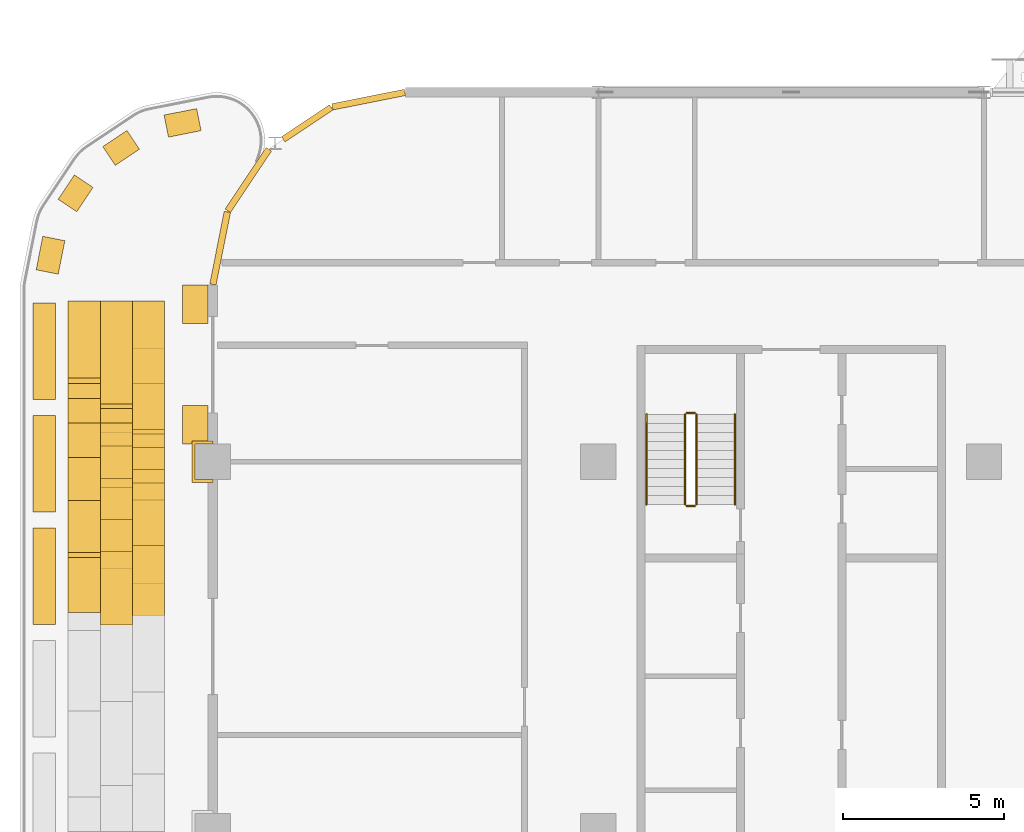
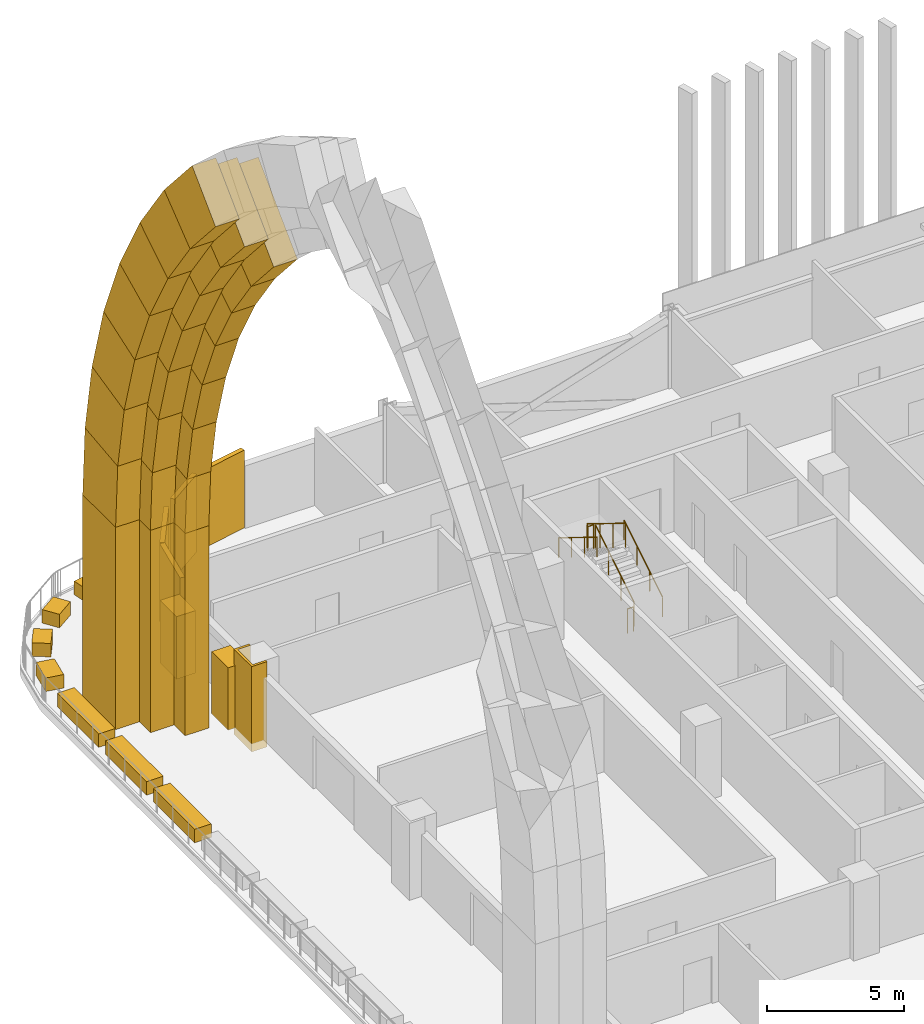
# One storey, part 24 of 28: 38 coverings, 6 railings.
"""IFC4 building model written with IfcOpenShell, lengths in metres."""

from ifc_helpers import new_model, si_unit, direction, frame, origin, origin_2d, place, context, subcontext, project, spatial, polyline, rectangle, circle, outline, extrude, material, layer, layer_set, type_object, element, save


model = new_model("IFC4")

# Units and contexts
model_context = context("Model", 3, precision=1e-05, world=origin(), true_north=direction((0.0, 1.0)))
body_context = subcontext(model_context, "Body", "Model", "MODEL_VIEW")
ifc_project = project(units=[si_unit("LENGTHUNIT", "METRE"), si_unit("AREAUNIT", "SQUARE_METRE"), si_unit("VOLUMEUNIT", "CUBIC_METRE"), si_unit("PLANEANGLEUNIT", "RADIAN"), si_unit("MASSUNIT", "GRAM", prefix="KILO")], contexts=[model_context])

# Site, building, storey
site_placement = place(None, origin())
site = spatial("IfcSite", under=ifc_project, at=site_placement, CompositionType="ELEMENT")
building_placement = place(site_placement, origin())
building = spatial("IfcBuilding", under=site, at=building_placement, Name="Mahtab Terrace Research Tower", CompositionType="ELEMENT")
storey_placement = place(building_placement, frame((0.0, 0.0, 193.89990234375)))
storey = spatial("IfcBuildingStorey", under=building, at=storey_placement, Name="L46", CompositionType="ELEMENT", Elevation=193.89990234375)

# Coverings
ifc_material_1 = material(Name="Black aluminium cladding panel", Category="aluminium")
ifc_layer_1 = layer(ifc_material_1, 0.199951171875)
ifc_layer_set_1 = layer_set([ifc_layer_1], Name="Black metal corner cladding 200")
covering_type_1 = type_object("IfcCoveringType", Name="Black metal corner cladding 200", PredefinedType="CLADDING", material=ifc_layer_set_1)
covering_1_placement = place(storey_placement, frame((-37.14794921875, 22.771484375, 0.0), z_axis=(0.0, 0.0, 1.0), x_axis=(-0.980760981187, -0.195212442692, 0.0)))
element("IfcCovering", 1, at=covering_1_placement, inside=storey, type_object=covering_type_1, Name="Corner cladding L46 11", PredefinedType="CLADDING", context=body_context, shape_type="SweptSolid", body=[
    extrude(rectangle(XDim=2.30126953125, YDim=0.199951171875, at=origin_2d()), origin(), (0.0, 0.0, 1.0), 3.4599609375),
])
covering_2_placement = place(storey_placement, frame((-39.059814453125, 22.032958984375, 0.0), z_axis=(0.0, 0.0, 1.0), x_axis=(-0.831655794326, -0.555291490808, 0.0)))
element("IfcCovering", 2, at=covering_2_placement, inside=storey, type_object=covering_type_1, Name="Corner cladding L46 12", PredefinedType="CLADDING", context=body_context, shape_type="SweptSolid", body=[
    extrude(rectangle(XDim=1.797119140625, YDim=0.199951171875, at=origin_2d()), origin(), (0.0, 0.0, 1.0), 3.4599609375),
])
for number, where, z_axis, x_axis, name in (
    (3, (-40.89306640625, 20.26953125, 0.0), (0.0, 0.0, 1.0), (-0.555291490808, -0.831655794326, 0.0), "Corner cladding L46 13"),
    (4, (-41.771484375, 18.14794921875, 0.0), (0.0, 0.0, 1.0), (-0.195212442692, -0.980760981187, 0.0), "Corner cladding L46 14"),
):
    element("IfcCovering", number, at=place(storey_placement, frame(where, z_axis=z_axis, x_axis=x_axis)), inside=storey, type_object=covering_type_1, Name=name, PredefinedType="CLADDING", context=body_context, shape_type="SweptSolid", body=[
        extrude(rectangle(XDim=2.30126953125, YDim=0.199951171875, at=origin_2d()), origin(), (0.0, 0.0, 1.0), 3.4599609375),
    ])
ifc_material_2 = material(Name="Dark anodised aluminium cladding", Category="aluminium")
ifc_layer_2 = layer(ifc_material_2, 0.10009765625)
ifc_layer_set_2 = layer_set([ifc_layer_2], Name="Column casing 100")
covering_type_2 = type_object("IfcCoveringType", Name="Column casing 100", PredefinedType="CLADDING", material=ifc_layer_set_2)
covering_3_placement = place(storey_placement, frame((0.0, 0.0, -0.33984375)))
element("IfcCovering", 5, at=covering_3_placement, inside=storey, type_object=covering_type_2, Name="Column casing RC-1C L46", PredefinedType="CLADDING", context=body_context, shape_type="SweptSolid", body=[
    extrude(outline(polyline([(-42.64990234375, 12.14990234375), (-42.0, 12.14990234375), (-42.0, 12.050048828125), (-42.550048828125, 12.050048828125), (-42.550048828125, 10.949951171875), (-42.0, 10.949951171875), (-42.0, 10.85009765625), (-42.64990234375, 10.85009765625), (-42.64990234375, 12.14990234375)])), origin(), (0.0, 0.0, 1.0), 3.800048828125),
])
ifc_material_3 = material(Name="Glazed ceramic tile cladding", Category="masonry")
ifc_layer_3 = layer(ifc_material_3, 1.0)
ifc_layer_set_3 = layer_set([ifc_layer_3], Name="Iwan portal cladding arch course 800")
covering_type_3 = type_object("IfcCoveringType", Name="Iwan portal cladding arch course 800", PredefinedType="CLADDING", material=ifc_layer_set_3)
covering_4_placement = place(storey_placement, frame((-43.5, 16.5, 9.030029296875), z_axis=(1.0, 0.0, 0.0), x_axis=(0.0, -0.055460822984, 0.998460864087)))
element("IfcCovering", 6, at=covering_4_placement, inside=storey, type_object=covering_type_3, Name="Iwan portal arch course 5.1.1W1", PredefinedType="CLADDING", context=body_context, shape_type="SweptSolid", body=[
    extrude(outline(polyline([(0.0, 0.0), (2.9405610794109034, 0.0), (2.718874432644916, 3.9942727306042114), (0.22184329193756697, 3.9938434563490723), (0.0, 0.0)])), origin(), (0.0, 0.0, -1.0), 1.0),
])
covering_5_placement = place(storey_placement, frame((-43.5, 16.3369140625, 11.966064453125), z_axis=(1.0, 0.0, 0.0), x_axis=(0.0, -0.165866171089, 0.986148271452)))
element("IfcCovering", 7, at=covering_5_placement, inside=storey, type_object=covering_type_3, Name="Iwan portal arch course 5.1.1W2", PredefinedType="CLADDING", context=body_context, shape_type="SweptSolid", body=[
    extrude(outline(polyline([(0.0, 0.0), (2.940882794535445, 0.0), (2.7190484283620227, 3.9932310158680346), (0.22271914837980816, 3.9942152917372566), (0.0, 0.0)])), origin(), (0.0, 0.0, -1.0), 1.0),
])
covering_6_placement = place(storey_placement, frame((-43.5, 15.84912109375, 14.8662109375), z_axis=(1.0, 0.0, 0.0), x_axis=(0.0, -0.273843681013, 0.96177421382)))
element("IfcCovering", 8, at=covering_6_placement, inside=storey, type_object=covering_type_3, Name="Iwan portal arch course 5.1.1W3", PredefinedType="CLADDING", context=body_context, shape_type="SweptSolid", body=[
    extrude(outline(polyline([(0.0, 0.0), (2.940275190102286, 0.0), (2.717577643766151, 3.9946903545653707), (0.22087525420823206, 3.9932841814957856), (0.0, 0.0)])), origin(), (0.0, 0.0, -1.0), 1.0),
])
covering_7_placement = place(storey_placement, frame((-43.5, 15.0439453125, 17.694091796875), z_axis=(1.0, 0.0, 0.0), x_axis=(0.0, -0.379062643921, 0.925371013153)))
element("IfcCovering", 9, at=covering_7_placement, inside=storey, type_object=covering_type_3, Name="Iwan portal arch course 5.1.1W4", PredefinedType="CLADDING", context=body_context, shape_type="SweptSolid", body=[
    extrude(outline(polyline([(0.0, 0.0), (2.941440556745329, -2.220446049250313e-16), (2.719930428130478, 3.9941025916612407), (0.22275519480547556, 3.994687140338892), (0.0, 0.0)])), origin(), (0.0, 0.0, -1.0), 1.0),
])
covering_8_placement = place(storey_placement, frame((-43.5, 13.928955078125, 20.416015625), z_axis=(1.0, 0.0, 0.0), x_axis=(0.0, -0.478881220228, 0.877879705263)))
element("IfcCovering", 10, at=covering_8_placement, inside=storey, type_object=covering_type_3, Name="Iwan portal arch course 5.1.1W5", PredefinedType="CLADDING", context=body_context, shape_type="SweptSolid", body=[
    extrude(outline(polyline([(0.0, 0.0), (2.9401006447990863, 0.0), (2.7177584811408897, 3.994143855210831), (0.22067789270468263, 3.9941486599105733), (0.0, 0.0)])), origin(), (0.0, 0.0, -1.0), 1.0),
])
covering_9_placement = place(storey_placement, frame((-43.5, 12.52099609375, 22.9970703125), z_axis=(1.0, 0.0, 0.0), x_axis=(0.0, -0.573412190327, 0.819267026057)))
element("IfcCovering", 11, at=covering_9_placement, inside=storey, type_object=covering_type_3, Name="Iwan portal arch course 5.1.1W6", PredefinedType="CLADDING", context=body_context, shape_type="SweptSolid", body=[
    extrude(outline(polyline([(0.0, 0.0), (2.9403545733650764, -2.220446049250313e-16), (2.7185814280906406, 3.9940420548651225), (0.22260416491903978, 3.9941292617564774), (0.0, 0.0)])), origin(), (0.0, 0.0, -1.0), 1.0),
])
covering_10_placement = place(storey_placement, frame((-43.5, 10.8349609375, 25.406005859375), z_axis=(1.0, 0.0, 0.0), x_axis=(0.0, -0.660594211147, 0.750743157277)))
element("IfcCovering", 12, at=covering_10_placement, inside=storey, type_object=covering_type_3, Name="Iwan portal arch course 5.1.1W7", PredefinedType="CLADDING", context=body_context, shape_type="SweptSolid", body=[
    extrude(outline(polyline([(0.0, 0.0), (2.94109615398585, 0.0), (2.7186280065322603, 3.9947243242258246), (0.22180179701225478, 3.9940404638458853), (0.0, 0.0)])), origin(), (0.0, 0.0, -1.0), 1.0),
])
covering_11_placement = place(storey_placement, frame((-44.5, 16.5, 9.030029296875), z_axis=(1.0, 0.0, 0.0), x_axis=(0.0, -0.055447571199, 0.998461600087)))
element("IfcCovering", 13, at=covering_11_placement, inside=storey, type_object=covering_type_3, Name="Iwan portal arch course 5.1.2W1", PredefinedType="CLADDING", context=body_context, shape_type="SweptSolid", body=[
    extrude(outline(polyline([(0.0, 0.0), (3.01171329760027, 0.0), (2.833598416824403, 3.194722438880751), (0.17742952043621738, 3.1950283672703064), (0.0, 0.0)])), origin(), (0.0, 0.0, -1.0), 1.0),
])
covering_12_placement = place(storey_placement, frame((-44.5, 16.3330078125, 12.037109375), z_axis=(1.0, 0.0, 0.0), x_axis=(0.0, -0.165700293067, 0.986176157123)))
element("IfcCovering", 14, at=covering_12_placement, inside=storey, type_object=covering_type_3, Name="Iwan portal arch course 5.1.2W2", PredefinedType="CLADDING", context=body_context, shape_type="SweptSolid", body=[
    extrude(outline(polyline([(0.0, 0.0), (3.01160262461619, 5.551115123125783e-17), (2.833599354589097, 3.195742954996072), (0.17684233025879248, 3.1947931329697417), (0.0, 0.0)])), origin(), (0.0, 0.0, -1.0), 1.0),
])
covering_13_placement = place(storey_placement, frame((-44.5, 15.833984375, 15.007080078125), z_axis=(1.0, 0.0, 0.0), x_axis=(0.0, -0.274260678529, 0.961655385371)))
element("IfcCovering", 15, at=covering_13_placement, inside=storey, type_object=covering_type_3, Name="Iwan portal arch course 5.1.2W3", PredefinedType="CLADDING", context=body_context, shape_type="SweptSolid", body=[
    extrude(outline(polyline([(0.0, 0.0), (3.011469740413322, 0.0), (2.835086770200549, 3.195058106788874), (0.17821894630770474, 3.1957309345006406), (0.0, 0.0)])), origin(), (0.0, 0.0, -1.0), 1.0),
])
covering_14_placement = place(storey_placement, frame((-44.5, 15.008056640625, 17.903076171875), z_axis=(1.0, 0.0, 0.0), x_axis=(0.0, -0.378897977416, 0.925438448904)))
element("IfcCovering", 16, at=covering_14_placement, inside=storey, type_object=covering_type_3, Name="Iwan portal arch course 5.1.2W4", PredefinedType="CLADDING", context=body_context, shape_type="SweptSolid", body=[
    extrude(outline(polyline([(0.0, 0.0), (3.011663691194293, 0.0), (2.8346940076805596, 3.1941286579051553), (0.1779372390486692, 3.194971924273846), (0.0, 0.0)])), origin(), (0.0, 0.0, -1.0), 1.0),
])
covering_15_placement = place(storey_placement, frame((-44.5, 13.866943359375, 20.690185546875), z_axis=(1.0, 0.0, 0.0), x_axis=(0.0, -0.47880668884, 0.877920357847)))
element("IfcCovering", 17, at=covering_15_placement, inside=storey, type_object=covering_type_3, Name="Iwan portal arch course 5.1.2W5", PredefinedType="CLADDING", context=body_context, shape_type="SweptSolid", body=[
    extrude(outline(polyline([(0.0, 0.0), (3.0114335594271013, 0.0), (2.8329261297389525, 3.19555325194529), (0.1769491638370455, 3.1941297947252103), (0.0, 0.0)])), origin(), (0.0, 0.0, -1.0), 1.0),
])
covering_16_placement = place(storey_placement, frame((-44.5, 12.425048828125, 23.333984375), z_axis=(1.0, 0.0, 0.0), x_axis=(0.0, -0.573489548763, 0.819212876767)))
element("IfcCovering", 18, at=covering_16_placement, inside=storey, type_object=covering_type_3, Name="Iwan portal arch course 5.1.2W6", PredefinedType="CLADDING", context=body_context, shape_type="SweptSolid", body=[
    extrude(outline(polyline([(0.0, 0.0), (3.0114773407402997, 0.0), (2.835016556162456, 3.194910347726194), (0.17805305107044544, 3.195578601673958), (0.0, 0.0)])), origin(), (0.0, 0.0, -1.0), 1.0),
])
covering_17_placement = place(storey_placement, frame((-44.5, 10.697998046875, 25.801025390625), z_axis=(1.0, 0.0, 0.0), x_axis=(0.0, -0.660688191476, 0.750660451632)))
element("IfcCovering", 19, at=covering_17_placement, inside=storey, type_object=covering_type_3, Name="Iwan portal arch course 5.1.2W7", PredefinedType="CLADDING", context=body_context, shape_type="SweptSolid", body=[
    extrude(outline(polyline([(0.0, 0.0), (3.0119960672079307, -2.220446049250313e-16), (2.8346253548064184, 3.1947767986943547), (0.17845576769532911, 3.1947995363524786), (0.0, 0.0)])), origin(), (0.0, 0.0, -1.0), 1.0),
])
covering_18_placement = place(storey_placement, frame((-45.5, 16.5, 9.030029296875), z_axis=(1.0, 0.0, 0.0), x_axis=(0.0, -0.055434931104, 0.998462301949)))
element("IfcCovering", 20, at=covering_18_placement, inside=storey, type_object=covering_type_3, Name="Iwan portal arch course 5.1.3W1", PredefinedType="CLADDING", context=body_context, shape_type="SweptSolid", body=[
    extrude(outline(polyline([(0.0, 0.0), (3.082865516295666, 0.0), (2.949374288960327, 2.3960943121690272), (0.13303842108308434, 2.39621201859361), (0.0, 0.0)])), origin(), (0.0, 0.0, -1.0), 1.0),
])
covering_19_placement = place(storey_placement, frame((-45.5, 16.3291015625, 12.108154296875), z_axis=(1.0, 0.0, 0.0), x_axis=(0.0, -0.165760169926, 0.986166094563)))
element("IfcCovering", 21, at=covering_19_placement, inside=storey, type_object=covering_type_3, Name="Iwan portal arch course 5.1.3W2", PredefinedType="CLADDING", context=body_context, shape_type="SweptSolid", body=[
    extrude(outline(polyline([(0.0, 0.0), (3.0826846301651667, 1.1102230246251565e-16), (2.949006002846727, 2.3963742600089364), (0.1329077287438854, 2.3961267487811244), (0.0, 0.0)])), origin(), (0.0, 0.0, -1.0), 1.0),
])
covering_20_placement = place(storey_placement, frame((-45.5, 15.818115234375, 15.148193359375), z_axis=(1.0, 0.0, 0.0), x_axis=(0.0, -0.274156290396, 0.961685150367)))
element("IfcCovering", 22, at=covering_20_placement, inside=storey, type_object=covering_type_3, Name="Iwan portal arch course 5.1.3W3", PredefinedType="CLADDING", context=body_context, shape_type="SweptSolid", body=[
    extrude(outline(polyline([(0.0, 0.0), (3.0829671736833983, 0.0), (2.949866593375721, 2.3961195887162603), (0.13303538763748002, 2.3964100557023347), (0.0, 0.0)])), origin(), (0.0, 0.0, -1.0), 1.0),
])
covering_21_placement = place(storey_placement, frame((-45.5, 14.972900390625, 18.113037109375), z_axis=(1.0, 0.0, 0.0), x_axis=(0.0, -0.378972119613, 0.92540808974)))
element("IfcCovering", 23, at=covering_21_placement, inside=storey, type_object=covering_type_3, Name="Iwan portal arch course 5.1.3W4", PredefinedType="CLADDING", context=body_context, shape_type="SweptSolid", body=[
    extrude(outline(polyline([(0.0, 0.0), (3.0819384581469658, 0.0), (2.949066917793149, 2.396074576576368), (0.13307739515838413, 2.3961208765014086), (0.0, 0.0)])), origin(), (0.0, 0.0, -1.0), 1.0),
])
covering_22_placement = place(storey_placement, frame((-45.5, 13.804931640625, 20.965087890625), z_axis=(1.0, 0.0, 0.0), x_axis=(0.0, -0.479107338441, 0.877756320542)))
element("IfcCovering", 24, at=covering_22_placement, inside=storey, type_object=covering_type_3, Name="Iwan portal arch course 5.1.3W5", PredefinedType="CLADDING", context=body_context, shape_type="SweptSolid", body=[
    extrude(outline(polyline([(0.0, 0.0), (3.0829224742331682, 0.0), (2.9492535607251753, 2.3957219874634195), (0.13324994979318028, 2.396053562346162), (0.0, 0.0)])), origin(), (0.0, 0.0, -1.0), 1.0),
])
covering_23_placement = place(storey_placement, frame((-45.5, 12.327880859375, 23.671142578125), z_axis=(1.0, 0.0, 0.0), x_axis=(0.0, -0.573185901562, 0.819425361)))
element("IfcCovering", 25, at=covering_23_placement, inside=storey, type_object=covering_type_3, Name="Iwan portal arch course 5.1.3W6", PredefinedType="CLADDING", context=body_context, shape_type="SweptSolid", body=[
    extrude(outline(polyline([(0.0, 0.0), (3.0825002818637297, -2.220446049250313e-16), (2.9489466174242414, 2.3962084426902512), (0.13193682696282605, 2.3958180008809236), (0.0, 0.0)])), origin(), (0.0, 0.0, -1.0), 1.0),
])
covering_24_placement = place(storey_placement, frame((-45.5, 10.56103515625, 26.197021484375), z_axis=(1.0, 0.0, 0.0), x_axis=(0.0, -0.660777839464, 0.750581539123)))
element("IfcCovering", 26, at=covering_24_placement, inside=storey, type_object=covering_type_3, Name="Iwan portal arch course 5.1.3W7", PredefinedType="CLADDING", context=body_context, shape_type="SweptSolid", body=[
    extrude(outline(polyline([(0.0, 0.0), (3.0828960254643447, 0.0), (2.950320964378053, 2.3961955746104815), (0.13381827455722584, 2.3961936798806107), (0.0, 0.0)])), origin(), (0.0, 0.0, -1.0), 1.0),
])
ifc_layer_4 = layer(ifc_material_3, 1.0)
ifc_layer_set_4 = layer_set([ifc_layer_4], Name="Iwan portal cladding pilaster 900")
covering_type_4 = type_object("IfcCoveringType", Name="Iwan portal cladding pilaster 900", PredefinedType="CLADDING", material=ifc_layer_set_4)
covering_25_placement = place(storey_placement, frame((-44.0, 14.5, 0.030029296875), z_axis=(0.0, 0.0, 1.0), x_axis=(0.0, -1.0, 0.0)))
element("IfcCovering", 27, at=covering_25_placement, inside=storey, type_object=covering_type_4, Name="Iwan portal pilaster 5.1.1W", PredefinedType="CLADDING", context=body_context, shape_type="SweptSolid", body=[
    extrude(rectangle(XDim=4.0, YDim=1.0, at=origin_2d()), origin(), (0.0, 0.0, 1.0), 9.0),
])
covering_26_placement = place(storey_placement, frame((-45.0, 14.89990234375, 0.030029296875), z_axis=(0.0, 0.0, 1.0), x_axis=(0.0, -1.0, 0.0)))
element("IfcCovering", 28, at=covering_26_placement, inside=storey, type_object=covering_type_4, Name="Iwan portal pilaster 5.1.2W", PredefinedType="CLADDING", context=body_context, shape_type="SweptSolid", body=[
    extrude(rectangle(XDim=3.199951171875, YDim=1.0, at=origin_2d()), origin(), (0.0, 0.0, 1.0), 9.0),
])
covering_27_placement = place(storey_placement, frame((-46.0, 15.300048828125, 0.030029296875), z_axis=(0.0, 0.0, 1.0), x_axis=(0.0, -1.0, 0.0)))
element("IfcCovering", 29, at=covering_27_placement, inside=storey, type_object=covering_type_4, Name="Iwan portal pilaster 5.1.3W", PredefinedType="CLADDING", context=body_context, shape_type="SweptSolid", body=[
    extrude(rectangle(XDim=2.39990234375, YDim=1.0, at=origin_2d()), origin(), (0.0, 0.0, 1.0), 9.0),
])
ifc_layer_5 = layer(ifc_material_3, 0.800048828125)
ifc_layer_set_5 = layer_set([ifc_layer_5], Name="Pishtaq frame pier 800")
covering_type_5 = type_object("IfcCoveringType", Name="Pishtaq frame pier 800", PredefinedType="CLADDING", material=ifc_layer_set_5)
for number, where, z_axis, x_axis, name in (
    (30, (-42.550048828125, 16.39990234375, 0.0), (0.0, 0.0, 1.0), (0.0, -1.0, 0.0), "Pishtaq frame pier 15a"),
    (31, (-42.550048828125, 12.64990234375, 0.0), (0.0, 0.0, 1.0), (0.0, -1.0, 0.0), "Pishtaq frame pier 15b"),
):
    element("IfcCovering", number, at=place(storey_placement, frame(where, z_axis=z_axis, x_axis=x_axis)), inside=storey, type_object=covering_type_5, Name=name, PredefinedType="CLADDING", context=body_context, shape_type="SweptSolid", body=[
        extrude(rectangle(XDim=1.199951171875, YDim=0.800048828125, at=origin_2d()), origin(), (0.0, 0.0, 1.0), 2.781982421875),
    ])
ifc_material_4 = material(Name="Planting soil and shrubs")
ifc_layer_6 = layer(ifc_material_4, 0.1201171875)
ifc_layer_set_6 = layer_set([ifc_layer_6], Name="Planter")
covering_type_6 = type_object("IfcCoveringType", Name="Planter", PredefinedType="USERDEFINED", material=ifc_layer_set_6)
covering_28_placement = place(storey_placement, frame((-42.941162109375, 22.0478515625, 0.030029296875), z_axis=(0.0, 0.0, 1.0), x_axis=(-0.980724538195, -0.195395445655, 0.0)))
element("IfcCovering", 32, at=covering_28_placement, inside=storey, type_object=covering_type_6, Name="PLANTER terrace 5", ObjectType="PLANTER", PredefinedType="USERDEFINED", context=body_context, shape_type="SweptSolid", body=[
    extrude(rectangle(XDim=1.0341796875, YDim=0.699951171875, at=origin_2d()), origin(), (0.0, 0.0, 1.0), 0.60009765625),
])
for number, where, z_axis, x_axis, name in (
    (33, (-44.853759765625, 21.268798828125, 0.030029296875), (0.0, 0.0, 1.0), (-0.831344457855, -0.555757494231, 0.0), "PLANTER terrace 5"),
    (34, (-46.268798828125, 19.853759765625, 0.030029296875), (0.0, 0.0, 1.0), (-0.555757494231, -0.831344457855, 0.0), "PLANTER terrace 5"),
):
    element("IfcCovering", number, at=place(storey_placement, frame(where, z_axis=z_axis, x_axis=x_axis)), inside=storey, type_object=covering_type_6, Name=name, ObjectType="PLANTER", PredefinedType="USERDEFINED", context=body_context, shape_type="SweptSolid", body=[
        extrude(rectangle(XDim=0.908447265625, YDim=0.699951171875, at=origin_2d()), origin(), (0.0, 0.0, 1.0), 0.60009765625),
    ])
covering_29_placement = place(storey_placement, frame((-47.05029296875, 17.92822265625, 0.030029296875), z_axis=(0.0, 0.0, 1.0), x_axis=(-0.195303993071, -0.980742754391, 0.0)))
element("IfcCovering", 35, at=covering_29_placement, inside=storey, type_object=covering_type_6, Name="PLANTER terrace 5", ObjectType="PLANTER", PredefinedType="USERDEFINED", context=body_context, shape_type="SweptSolid", body=[
    extrude(rectangle(XDim=1.060546875, YDim=0.699951171875, at=origin_2d()), origin(), (0.0, 0.0, 1.0), 0.60009765625),
])
for number, where, z_axis, x_axis, name in (
    (36, (-47.25, 14.93408203125, 0.030029296875), (0.0, 0.0, 1.0), (0.0, -1.0, 0.0), "PLANTER terrace 5"),
    (37, (-47.25, 11.43408203125, 0.030029296875), (0.0, 0.0, 1.0), (0.0, -1.0, 0.0), "PLANTER terrace 5"),
    (38, (-47.25, 7.93408203125, 0.030029296875), (0.0, 0.0, 1.0), (0.0, -1.0, 0.0), "PLANTER terrace 5"),
):
    element("IfcCovering", number, at=place(storey_placement, frame(where, z_axis=z_axis, x_axis=x_axis)), inside=storey, type_object=covering_type_6, Name=name, ObjectType="PLANTER", PredefinedType="USERDEFINED", context=body_context, shape_type="SweptSolid", body=[
        extrude(rectangle(XDim=3.0, YDim=0.699951171875, at=origin_2d()), origin(), (0.0, 0.0, 1.0), 0.60009765625),
    ])

# Railings
ifc_material_5 = material(Name="Stainless steel AISI 304", Category="steel")
railing_type_1 = type_object("IfcRailingType", Name="Stair guard 1100", PredefinedType="GUARDRAIL", material=ifc_material_5)
railing_1_placement = place(storey_placement, frame((-26.949951171875, 10.175048828125, 0.1728515625)))
element("IfcRailing", 39, at=railing_1_placement, inside=storey, type_object=railing_type_1, Name="L46 ST1 stair guard 1", PredefinedType="GUARDRAIL", context=body_context, shape_type="SweptSolid", body=[
    extrude(circle(Radius=0.02392578125, at=origin_2d()), frame((0.0, 0.0, 1.076171875), z_axis=(0.0, 0.851089632645, 0.525020415988), x_axis=(-1.0, 0.0, 0.0)), (0.0, 0.0, 1.0), 3.2900390625),
    extrude(circle(Radius=0.02099609375, at=origin_2d()), origin(), (0.0, 0.0, 1.0), 1.052001953125),
    extrude(circle(Radius=0.02099609375, at=origin_2d()), frame((0.0, 0.933349609375, 0.57568359375)), (0.0, 0.0, 1.0), 1.052001953125),
    extrude(circle(Radius=0.02099609375, at=origin_2d()), frame((0.0, 1.86669921875, 1.151611328125)), (0.0, 0.0, 1.0), 1.052001953125),
    extrude(circle(Radius=0.02099609375, at=origin_2d()), frame((0.0, 2.800048828125, 1.727294921875)), (0.0, 0.0, 1.0), 1.052001953125),
])
railing_2_placement = place(storey_placement, frame((-27.0, 13.02490234375, 1.900146484375)))
element("IfcRailing", 40, at=railing_2_placement, inside=storey, type_object=railing_type_1, Name="L46 ST1 stair guard 2", PredefinedType="GUARDRAIL", context=body_context, shape_type="SweptSolid", body=[
    extrude(circle(Radius=0.02392578125, at=origin_2d()), frame((0.0, 0.0, 1.076171875), z_axis=(-1.0, 0.0, 0.0), x_axis=(0.0, -1.0, 0.0)), (0.0, 0.0, 1.0), 0.25),
    extrude(circle(Radius=0.02099609375, at=origin_2d()), origin(), (0.0, 0.0, 1.0), 1.052001953125),
    extrude(circle(Radius=0.02099609375, at=origin_2d()), frame((-0.25, 0.0, 0.0)), (0.0, 0.0, 1.0), 1.052001953125),
])
railing_3_placement = place(storey_placement, frame((-27.300048828125, 12.97509765625, 2.07275390625)))
element("IfcRailing", 41, at=railing_3_placement, inside=storey, type_object=railing_type_1, Name="L46 ST1 stair guard 3", PredefinedType="GUARDRAIL", context=body_context, shape_type="SweptSolid", body=[
    extrude(circle(Radius=0.02392578125, at=origin_2d()), frame((0.0, 0.0, 1.076171875), z_axis=(0.0, -0.851089632645, 0.525020415988), x_axis=(1.0, 0.0, 0.0)), (0.0, 0.0, 1.0), 3.2900390625),
    extrude(circle(Radius=0.02099609375, at=origin_2d()), origin(), (0.0, 0.0, 1.0), 1.052001953125),
    extrude(circle(Radius=0.02099609375, at=origin_2d()), frame((0.0, -0.933349609375, 0.57568359375)), (0.0, 0.0, 1.0), 1.052001953125),
    extrude(circle(Radius=0.02099609375, at=origin_2d()), frame((0.0, -1.86669921875, 1.151611328125)), (0.0, 0.0, 1.0), 1.052001953125),
    extrude(circle(Radius=0.02099609375, at=origin_2d()), frame((0.0, -2.800048828125, 1.727294921875)), (0.0, 0.0, 1.0), 1.052001953125),
])
railing_4_placement = place(storey_placement, frame((-27.0, 10.125, 0.0)))
element("IfcRailing", 42, at=railing_4_placement, inside=storey, type_object=railing_type_1, Name="L46 ST1 stair guard 4", PredefinedType="GUARDRAIL", context=body_context, shape_type="SweptSolid", body=[
    extrude(circle(Radius=0.02392578125, at=origin_2d()), frame((0.0, 0.0, 1.076171875), z_axis=(-1.0, 0.0, 0.0), x_axis=(0.0, -1.0, 0.0)), (0.0, 0.0, 1.0), 0.25),
    extrude(circle(Radius=0.02099609375, at=origin_2d()), origin(), (0.0, 0.0, 1.0), 1.052001953125),
    extrude(circle(Radius=0.02099609375, at=origin_2d()), frame((-0.25, 0.0, 0.0)), (0.0, 0.0, 1.0), 1.052001953125),
])
railing_type_2 = type_object("IfcRailingType", Name="Stair handrail 900", PredefinedType="HANDRAIL", material=ifc_material_5)
railing_5_placement = place(storey_placement, frame((-25.75, 10.175048828125, 0.1728515625)))
element("IfcRailing", 43, at=railing_5_placement, inside=storey, type_object=railing_type_2, Name="L46 ST1 stair handrail 1", PredefinedType="HANDRAIL", context=body_context, shape_type="SweptSolid", body=[
    extrude(circle(Radius=0.02392578125, at=origin_2d()), frame((0.0, 0.0, 0.8759765625), z_axis=(0.0, 0.851089632645, 0.525020415988), x_axis=(-1.0, 0.0, 0.0)), (0.0, 0.0, 1.0), 3.2900390625),
    extrude(circle(Radius=0.02099609375, at=origin_2d()), origin(), (0.0, 0.0, 1.0), 0.851806640625),
    extrude(circle(Radius=0.02099609375, at=origin_2d()), frame((0.0, 0.933349609375, 0.57568359375)), (0.0, 0.0, 1.0), 0.851806640625),
    extrude(circle(Radius=0.02099609375, at=origin_2d()), frame((0.0, 1.86669921875, 1.151611328125)), (0.0, 0.0, 1.0), 0.851806640625),
    extrude(circle(Radius=0.02099609375, at=origin_2d()), frame((0.0, 2.800048828125, 1.727294921875)), (0.0, 0.0, 1.0), 0.851806640625),
])
railing_6_placement = place(storey_placement, frame((-28.5, 12.97509765625, 2.07275390625)))
element("IfcRailing", 44, at=railing_6_placement, inside=storey, type_object=railing_type_2, Name="L46 ST1 stair handrail 2", PredefinedType="HANDRAIL", context=body_context, shape_type="SweptSolid", body=[
    extrude(circle(Radius=0.02392578125, at=origin_2d()), frame((0.0, 0.0, 0.8759765625), z_axis=(0.0, -0.851089632645, 0.525020415988), x_axis=(1.0, 0.0, 0.0)), (0.0, 0.0, 1.0), 3.2900390625),
    extrude(circle(Radius=0.02099609375, at=origin_2d()), origin(), (0.0, 0.0, 1.0), 0.851806640625),
    extrude(circle(Radius=0.02099609375, at=origin_2d()), frame((0.0, -0.933349609375, 0.57568359375)), (0.0, 0.0, 1.0), 0.851806640625),
    extrude(circle(Radius=0.02099609375, at=origin_2d()), frame((0.0, -1.86669921875, 1.151611328125)), (0.0, 0.0, 1.0), 0.851806640625),
    extrude(circle(Radius=0.02099609375, at=origin_2d()), frame((0.0, -2.800048828125, 1.727294921875)), (0.0, 0.0, 1.0), 0.851806640625),
])

save(model, "model.ifc")
